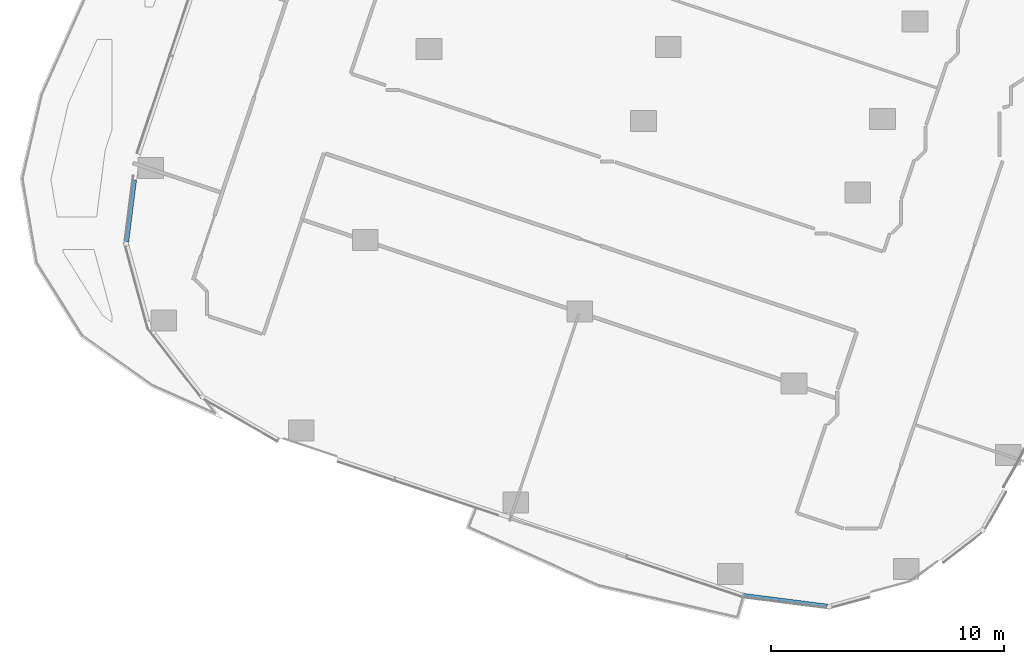
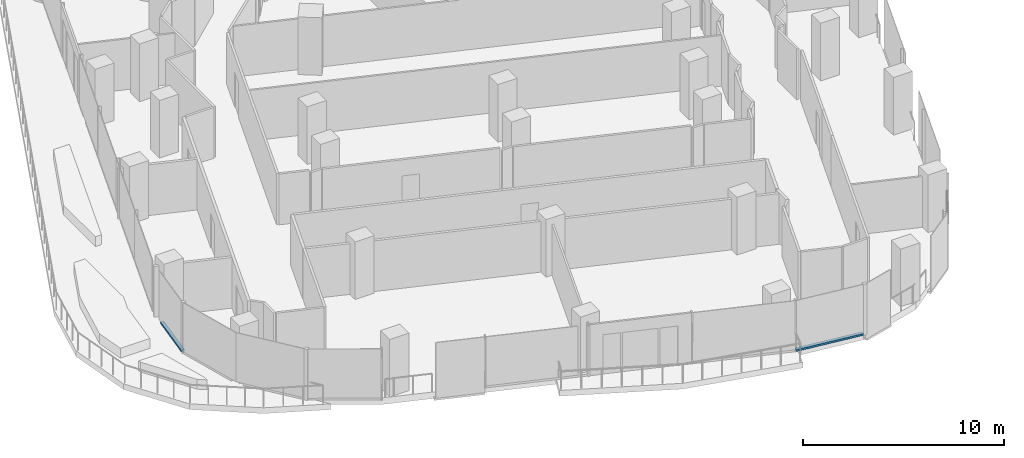
# One storey, part 3 of 34: 2 members, 2 elements without a shape of their own.
"""IFC4 building model written with IfcOpenShell, lengths in metres."""

from ifc_helpers import new_model, si_unit, direction, frame, origin, origin_2d, place, context, subcontext, project, spatial, rectangle, extrude, material, material_profile, profile_set, type_object, element, aggregate, save


model = new_model("IFC4")

# Units and contexts
model_context = context("Model", 3, precision=1e-05, world=origin(), true_north=direction((0.0, 1.0)))
body_context = subcontext(model_context, "Body", "Model", "MODEL_VIEW")
ifc_project = project(units=[si_unit("LENGTHUNIT", "METRE"), si_unit("AREAUNIT", "SQUARE_METRE"), si_unit("VOLUMEUNIT", "CUBIC_METRE"), si_unit("PLANEANGLEUNIT", "RADIAN"), si_unit("MASSUNIT", "GRAM", prefix="KILO")], contexts=[model_context])

# Site, building, storey
site_placement = place(None, origin())
site = spatial("IfcSite", under=ifc_project, at=site_placement, CompositionType="ELEMENT")
building_placement = place(site_placement, origin())
building = spatial("IfcBuilding", under=site, at=building_placement, Name="Orlundy Tower", CompositionType="ELEMENT")
storey_placement = place(building_placement, frame((0.0, 0.0, 145.60009765625)))
storey = spatial("IfcBuildingStorey", under=building, at=storey_placement, Name="L37", CompositionType="ELEMENT", Elevation=145.60009765625)

# Curtain wall, member
ifc_material_1 = material(Name="Aluminium bronze anodised", Category="aluminium")
curtain_wall_type = type_object("IfcCurtainWallType", Name="CW1 wall", PredefinedType="NOTDEFINED", material=ifc_material_1)
curtain_wall_1_placement = place(storey_placement, origin())
curtain_wall_1 = element("IfcCurtainWall", 1, at=curtain_wall_1_placement, inside=storey, type_object=curtain_wall_type, Name="CW1 run 06", PredefinedType="NOTDEFINED")
ifc_material_2 = material(Name="Aluminium bronze anodised", Category="aluminium")
ifc_material_profile = material_profile(ifc_material_2, rectangle(XDim=0.179931640625, YDim=0.1201171875, at=origin_2d()), Name="CW1 transom 180x120")
ifc_profile_set = profile_set([ifc_material_profile], Name="Aluminium bronze anodised")
member_type = type_object("IfcMemberType", Name="CW1 transom 180x120", PredefinedType="USERDEFINED", material=ifc_profile_set)
member_1_placement = place(storey_placement, frame((-5.327880859375, -60.30517578125, 0.059814453125), z_axis=(-0.991999294503, 0.126243414502, 0.0), x_axis=(-0.126243414502, -0.991999294503, 0.0)))
member_1 = element("IfcMember", 2, at=member_1_placement, type_object=member_type, Name="CW1 transom", ObjectType="TRANSOM", PredefinedType="USERDEFINED", context=body_context, shape_type="SweptSolid", body=[
    extrude(rectangle(XDim=0.179931640625, YDim=0.1201171875, at=origin_2d()), origin(), (0.0, 0.0, 1.0), 3.618408203125),
])
aggregate(curtain_wall_1, [member_1])

curtain_wall_2_placement = place(storey_placement, origin())
curtain_wall_2 = element("IfcCurtainWall", 3, at=curtain_wall_2_placement, inside=storey, type_object=curtain_wall_type, Name="CW1 run 011", PredefinedType="NOTDEFINED")
member_2_placement = place(storey_placement, frame((-35.379150390625, -44.6640625, 0.059814453125), z_axis=(0.125999774366, 0.992030270133, 0.0), x_axis=(-0.992030270133, 0.125999774366, 0.0)))
member_2 = element("IfcMember", 4, at=member_2_placement, type_object=member_type, Name="CW1 transom", ObjectType="TRANSOM", PredefinedType="USERDEFINED", context=body_context, shape_type="SweptSolid", body=[
    extrude(rectangle(XDim=0.179931640625, YDim=0.1201171875, at=origin_2d()), origin(), (0.0, 0.0, 1.0), 2.660400390625),
])
aggregate(curtain_wall_2, [member_2])

save(model, "model.ifc")
